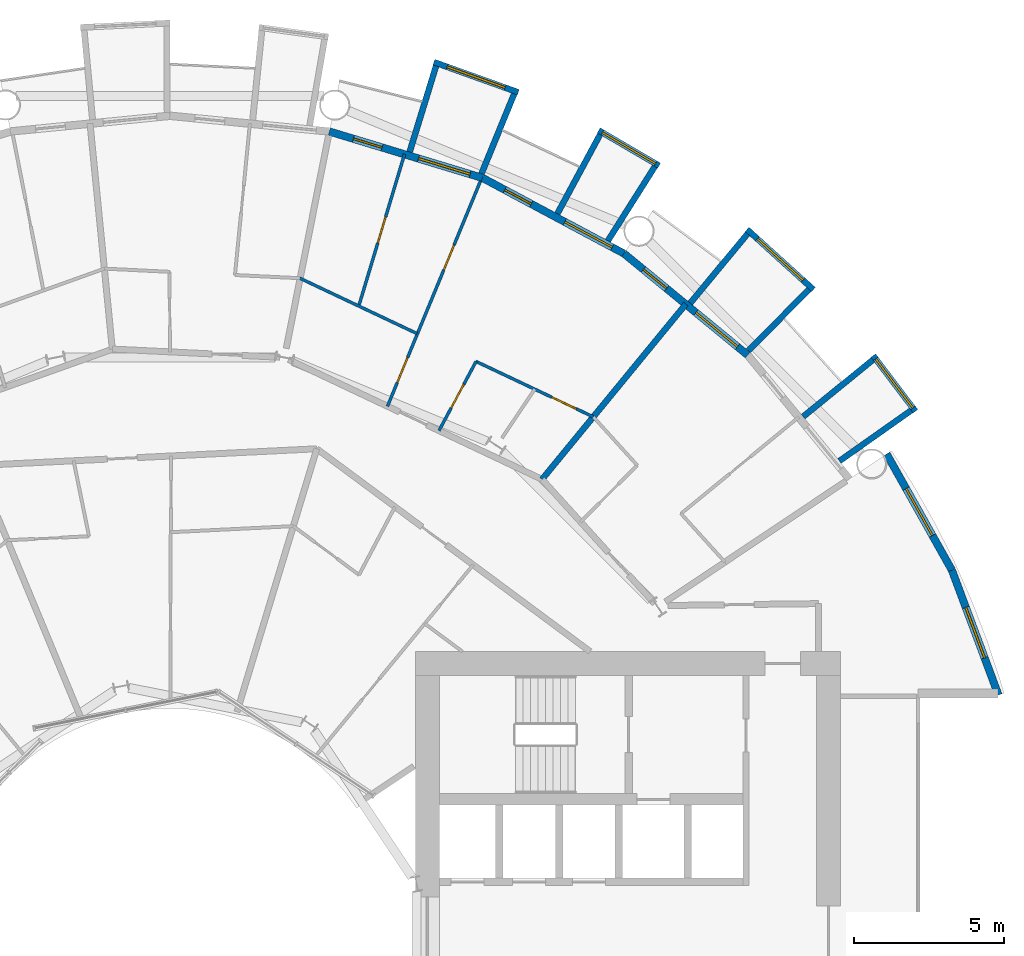
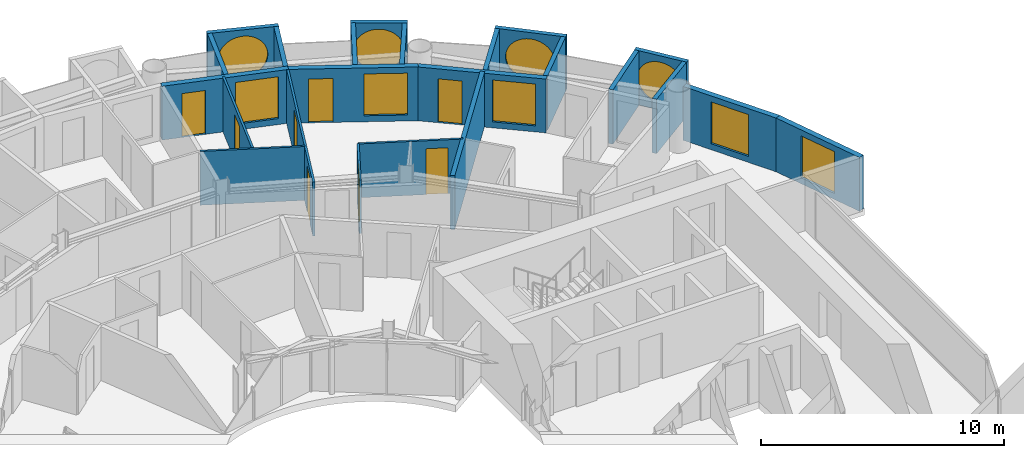
# One storey, part 22 of 25: 23 walls, 9 windows, 8 doors, 17 openings.
"""IFC4 building model written with IfcOpenShell, lengths in metres."""

from ifc_helpers import new_model, si_unit, direction, frame, frame_2d, origin, place, context, subcontext, project, spatial, rectangle, circle, extrude, material, layer, layer_set, type_object, element, fill, save


model = new_model("IFC4")

# Units and contexts
model_context = context("Model", 3, precision=1e-05, world=origin(), true_north=direction((0.0, 1.0)))
body_context = subcontext(model_context, "Body", "Model", "MODEL_VIEW")
ifc_project = project(units=[si_unit("LENGTHUNIT", "METRE"), si_unit("AREAUNIT", "SQUARE_METRE"), si_unit("VOLUMEUNIT", "CUBIC_METRE"), si_unit("PLANEANGLEUNIT", "RADIAN"), si_unit("MASSUNIT", "GRAM", prefix="KILO")], contexts=[model_context])

# Site, building, storey
site_placement = place(None, origin())
site = spatial("IfcSite", under=ifc_project, at=site_placement, CompositionType="ELEMENT")
building_placement = place(site_placement, origin())
building = spatial("IfcBuilding", under=site, at=building_placement, Name="Maasbend Ring Residences", CompositionType="ELEMENT")
storey_placement = place(building_placement, frame((0.0, 0.0, 41.10009765625)))
storey = spatial("IfcBuildingStorey", under=building, at=storey_placement, Name="L11", CompositionType="ELEMENT", Elevation=41.10009765625)

# Wall, opening, window
ifc_material_1 = material(Name="Pale anodised aluminium panel", Category="aluminium")
ifc_layer_1 = layer(ifc_material_1, 0.199951171875)
ifc_layer_set_1 = layer_set([ifc_layer_1], Name="EW-BOX")
wall_type_1 = type_object("IfcWallType", Name="EW-BOX", PredefinedType="SOLIDWALL", material=ifc_layer_set_1)
wall_1_placement = place(storey_placement, frame((24.908935546875, 17.427001953125, -0.030029296875), z_axis=(0.0, 0.0, 1.0), x_axis=(-0.60418752353, 0.796842165306, 0.0)))
wall_1 = element("IfcWall", 1, at=wall_1_placement, inside=storey, type_object=wall_type_1, Name="Box front N01", PredefinedType="SOLIDWALL", context=body_context, shape_type="SweptSolid", body=[
    extrude(rectangle(XDim=2.3369140625, YDim=0.199951171875, at=frame_2d((1.16845703125, 0.0))), origin(), (0.0, 0.0, 1.0), 2.72998046875),
])
opening_1_placement = place(wall_1_placement, frame((0.128173828125, 0.0, 0.330078125)))
opening_1 = element("IfcOpeningElement", 2, at=opening_1_placement, cuts=wall_1, Name="Opening W-RD", PredefinedType="OPENING", context=body_context, shape_type="SweptSolid", body=[
    extrude(circle(Radius=1.0400390625, at=frame_2d((1.0400390625, 1.0400390625))), frame((0.0, 0.10986328125, 0.0), z_axis=(0.0, -1.0, 0.0), x_axis=(1.0, 0.0, 0.0)), (0.0, 0.0, 1.0), 0.219970703125),
])
ifc_material_2 = material(Name="Aluminium and clear glass", Category="aluminium")
window_type_1 = type_object("IfcWindowType", Name="W-RD", PartitioningType="SINGLE_PANEL", PredefinedType="WINDOW", material=ifc_material_2)
window_1_placement = place(opening_1_placement, origin())
window_1 = element("IfcWindow", 3, at=window_1_placement, inside=storey, type_object=window_type_1, Name="Round window N01", OverallHeight=2.080078125, OverallWidth=2.080078125, PartitioningType="SINGLE_PANEL", PredefinedType="WINDOW", context=body_context, shape_type="SweptSolid", body=[
    extrude(circle(Radius=1.0400390625, at=frame_2d((1.0400390625, 1.0400390625))), frame((0.0, 0.030029296875, 0.0), z_axis=(0.0, -1.0, 0.0), x_axis=(1.0, 0.0, 0.0)), (0.0, 0.0, 1.0), 0.06005859375),
])
fill(opening_1, window_1)

# Walls
wall_2_placement = place(storey_placement, frame((22.3701171875, 15.764892578125, -0.030029296875), z_axis=(0.0, 0.0, 1.0), x_axis=(0.817256123454, 0.576274612209, 0.0)))
element("IfcWall", 4, at=wall_2_placement, inside=storey, type_object=wall_type_1, Name="Box side wall N01 left", PredefinedType="SOLIDWALL", context=body_context, shape_type="SweptSolid", body=[
    extrude(rectangle(XDim=2.932861328125, YDim=0.199951171875, at=frame_2d((1.46630859375, 0.0))), origin(), (0.0, 0.0, 1.0), 2.72998046875),
])
wall_3_placement = place(storey_placement, frame((21.155029296875, 17.24609375, -0.030029296875), z_axis=(0.0, 0.0, 1.0), x_axis=(0.775179004516, 0.631741648902, 0.0)))
element("IfcWall", 5, at=wall_3_placement, inside=storey, type_object=wall_type_1, Name="Box side wall N01 right", PredefinedType="SOLIDWALL", context=body_context, shape_type="SweptSolid", body=[
    extrude(rectangle(XDim=3.005859375, YDim=0.199951171875, at=frame_2d((1.5029296875, 0.0))), origin(), (0.0, 0.0, 1.0), 2.72998046875),
])

# Wall, opening, window
wall_4_placement = place(storey_placement, frame((21.5, 21.492919921875, -0.030029296875), z_axis=(0.0, 0.0, 1.0), x_axis=(-0.740998365753, 0.671506829416, 0.0)))
wall_4 = element("IfcWall", 6, at=wall_4_placement, inside=storey, type_object=wall_type_1, Name="Box front N03", PredefinedType="SOLIDWALL", context=body_context, shape_type="SweptSolid", body=[
    extrude(rectangle(XDim=2.9931640625, YDim=0.199951171875, at=frame_2d((1.49658203125, 0.0))), origin(), (0.0, 0.0, 1.0), 2.72998046875),
])
opening_2_placement = place(wall_4_placement, frame((0.45654296875, 0.0, 0.330078125)))
opening_2 = element("IfcOpeningElement", 7, at=opening_2_placement, cuts=wall_4, Name="Opening W-RD", PredefinedType="OPENING", context=body_context, shape_type="SweptSolid", body=[
    extrude(circle(Radius=1.0400390625, at=frame_2d((1.0400390625, 1.0400390625))), frame((0.0, 0.10986328125, 0.0), z_axis=(0.0, -1.0, 0.0), x_axis=(1.0, 0.0, 0.0)), (0.0, 0.0, 1.0), 0.219970703125),
])
window_2_placement = place(opening_2_placement, origin())
window_2 = element("IfcWindow", 8, at=window_2_placement, inside=storey, type_object=window_type_1, Name="Round window N03", OverallHeight=2.080078125, OverallWidth=2.080078125, PartitioningType="SINGLE_PANEL", PredefinedType="WINDOW", context=body_context, shape_type="SweptSolid", body=[
    extrude(circle(Radius=1.0400390625, at=frame_2d((1.0400390625, 1.0400390625))), frame((0.0, 0.030029296875, 0.0), z_axis=(0.0, -1.0, 0.0), x_axis=(1.0, 0.0, 0.0)), (0.0, 0.0, 1.0), 0.06005859375),
])
fill(opening_2, window_2)

# Walls
wall_5_placement = place(storey_placement, frame((19.322998046875, 19.449951171875, -0.030029296875), z_axis=(0.0, 0.0, 1.0), x_axis=(0.704476739375, 0.709727076896, 0.0)))
element("IfcWall", 9, at=wall_5_placement, inside=storey, type_object=wall_type_1, Name="Box side wall N03 left", PredefinedType="SOLIDWALL", context=body_context, shape_type="SweptSolid", body=[
    extrude(rectangle(XDim=2.883056640625, YDim=0.199951171875, at=frame_2d((1.44140625, 0.0))), origin(), (0.0, 0.0, 1.0), 2.72998046875),
])
wall_6_placement = place(storey_placement, frame((17.384033203125, 21.041015625, -0.030029296875), z_axis=(0.0, 0.0, 1.0), x_axis=(0.63709551667, 0.770784861449, 0.0)))
element("IfcWall", 10, at=wall_6_placement, inside=storey, type_object=wall_type_1, Name="Box side wall N03 right", PredefinedType="SOLIDWALL", context=body_context, shape_type="SweptSolid", body=[
    extrude(rectangle(XDim=3.005859375, YDim=0.199951171875, at=frame_2d((1.5029296875, 0.0))), origin(), (0.0, 0.0, 1.0), 2.72998046875),
])

# Wall, opening, window
wall_7_placement = place(storey_placement, frame((16.343994140625, 25.633056640625, -0.030029296875), z_axis=(0.0, 0.0, 1.0), x_axis=(-0.863346521872, 0.504611517081, 0.0)))
wall_7 = element("IfcWall", 11, at=wall_7_placement, inside=storey, type_object=wall_type_1, Name="Box front N05", PredefinedType="SOLIDWALL", context=body_context, shape_type="SweptSolid", body=[
    extrude(rectangle(XDim=2.33642578125, YDim=0.199951171875, at=frame_2d((1.168212890625, 0.0))), origin(), (0.0, 0.0, 1.0), 2.72998046875),
])
opening_3_placement = place(wall_7_placement, frame((0.128173828125, 0.0, 0.330078125)))
opening_3 = element("IfcOpeningElement", 12, at=opening_3_placement, cuts=wall_7, Name="Opening W-RD", PredefinedType="OPENING", context=body_context, shape_type="SweptSolid", body=[
    extrude(circle(Radius=1.0400390625, at=frame_2d((1.0400390625, 1.0400390625))), frame((0.0, 0.10986328125, 0.0), z_axis=(0.0, -1.0, 0.0), x_axis=(1.0, 0.0, 0.0)), (0.0, 0.0, 1.0), 0.219970703125),
])
window_3_placement = place(opening_3_placement, origin())
window_3 = element("IfcWindow", 13, at=window_3_placement, inside=storey, type_object=window_type_1, Name="Round window N05", OverallHeight=2.080078125, OverallWidth=2.080078125, PartitioningType="SINGLE_PANEL", PredefinedType="WINDOW", context=body_context, shape_type="SweptSolid", body=[
    extrude(circle(Radius=1.0400390625, at=frame_2d((1.0400390625, 1.0400390625))), frame((0.0, 0.030029296875, 0.0), z_axis=(0.0, -1.0, 0.0), x_axis=(1.0, 0.0, 0.0)), (0.0, 0.0, 1.0), 0.06005859375),
])
fill(opening_3, window_3)

# Walls
wall_8_placement = place(storey_placement, frame((14.635009765625, 23.1259765625, -0.030029296875), z_axis=(0.0, 0.0, 1.0), x_axis=(0.534437802731, 0.845207805816, 0.0)))
element("IfcWall", 14, at=wall_8_placement, inside=storey, type_object=wall_type_1, Name="Box side wall N05 left", PredefinedType="SOLIDWALL", context=body_context, shape_type="SweptSolid", body=[
    extrude(rectangle(XDim=2.931884765625, YDim=0.199951171875, at=frame_2d((1.4658203125, 0.0))), origin(), (0.0, 0.0, 1.0), 2.72998046875),
])
wall_9_placement = place(storey_placement, frame((12.945068359375, 24.029052734375, -0.030029296875), z_axis=(0.0, 0.0, 1.0), x_axis=(0.474424310775, 0.88029629861, 0.0)))
element("IfcWall", 15, at=wall_9_placement, inside=storey, type_object=wall_type_1, Name="Box side wall N05 right", PredefinedType="SOLIDWALL", context=body_context, shape_type="SweptSolid", body=[
    extrude(rectangle(XDim=3.005859375, YDim=0.199951171875, at=frame_2d((1.5029296875, 0.0))), origin(), (0.0, 0.0, 1.0), 2.72998046875),
])

# Wall, opening, window
wall_10_placement = place(storey_placement, frame((11.637939453125, 28.083984375, -0.030029296875), z_axis=(0.0, 0.0, 1.0), x_axis=(-0.941461077774, 0.337121697664, 0.0)))
wall_10 = element("IfcWall", 16, at=wall_10_placement, inside=storey, type_object=wall_type_1, Name="Box front N07", PredefinedType="SOLIDWALL", context=body_context, shape_type="SweptSolid", body=[
    extrude(rectangle(XDim=2.9931640625, YDim=0.199951171875, at=frame_2d((1.49658203125, 0.0))), origin(), (0.0, 0.0, 1.0), 2.72998046875),
])
opening_4_placement = place(wall_10_placement, frame((0.45654296875, 0.0, 0.330078125)))
opening_4 = element("IfcOpeningElement", 17, at=opening_4_placement, cuts=wall_10, Name="Opening W-RD", PredefinedType="OPENING", context=body_context, shape_type="SweptSolid", body=[
    extrude(circle(Radius=1.0400390625, at=frame_2d((1.0400390625, 1.0400390625))), frame((0.0, 0.10986328125, 0.0), z_axis=(0.0, -1.0, 0.0), x_axis=(1.0, 0.0, 0.0)), (0.0, 0.0, 1.0), 0.219970703125),
])
window_4_placement = place(opening_4_placement, origin())
window_4 = element("IfcWindow", 18, at=window_4_placement, inside=storey, type_object=window_type_1, Name="Round window N07", OverallHeight=2.080078125, OverallWidth=2.080078125, PartitioningType="SINGLE_PANEL", PredefinedType="WINDOW", context=body_context, shape_type="SweptSolid", body=[
    extrude(circle(Radius=1.0400390625, at=frame_2d((1.0400390625, 1.0400390625))), frame((0.0, 0.030029296875, 0.0), z_axis=(0.0, -1.0, 0.0), x_axis=(1.0, 0.0, 0.0)), (0.0, 0.0, 1.0), 0.06005859375),
])
fill(opening_4, window_4)

# Walls
wall_11_placement = place(storey_placement, frame((10.408935546875, 25.364013671875, -0.030029296875), z_axis=(0.0, 0.0, 1.0), x_axis=(0.379509886562, 0.925187681501, 0.0)))
element("IfcWall", 19, at=wall_11_placement, inside=storey, type_object=wall_type_1, Name="Box side wall N07 left", PredefinedType="SOLIDWALL", context=body_context, shape_type="SweptSolid", body=[
    extrude(rectangle(XDim=2.882568359375, YDim=0.199951171875, at=frame_2d((1.44140625, 0.0))), origin(), (0.0, 0.0, 1.0), 2.72998046875),
])
wall_12_placement = place(storey_placement, frame((8.009033203125, 26.092041015625, -0.030029296875), z_axis=(0.0, 0.0, 1.0), x_axis=(0.293406695073, 0.955987715029, 0.0)))
element("IfcWall", 20, at=wall_12_placement, inside=storey, type_object=wall_type_1, Name="Box side wall N07 right", PredefinedType="SOLIDWALL", context=body_context, shape_type="SweptSolid", body=[
    extrude(rectangle(XDim=3.00634765625, YDim=0.199951171875, at=frame_2d((1.503173828125, 0.0))), origin(), (0.0, 0.0, 1.0), 2.72998046875),
])

# Wall, openings, door, window
ifc_material_3 = material(Name="Aluminium clad insulated panel", Category="aluminium")
ifc_layer_2 = layer(ifc_material_3, 0.25)
ifc_layer_set_2 = layer_set([ifc_layer_2], Name="EW-GL")
wall_type_2 = type_object("IfcWallType", Name="EW-GL", PredefinedType="SOLIDWALL", material=ifc_layer_set_2)
wall_13_placement = place(storey_placement, frame((19.303955078125, 19.303955078125, 0.0), z_axis=(0.0, 0.0, 1.0), x_axis=(-0.773019449054, 0.634382322723, 0.0)))
wall_13 = element("IfcWall", 21, at=wall_13_placement, inside=storey, type_object=wall_type_2, Name="External wall N02", PredefinedType="SOLIDWALL", context=body_context, shape_type="SweptSolid", body=[
    extrude(rectangle(XDim=5.351806640625, YDim=0.25, at=frame_2d((2.67578125, 0.0))), origin(), (0.0, 0.0, 1.0), 2.699951171875),
])
opening_5_placement = place(wall_13_placement, frame((0.441162109375, 0.0, 0.300048828125)))
opening_5 = element("IfcOpeningElement", 22, at=opening_5_placement, cuts=wall_13, Name="Opening W-BX", PredefinedType="OPENING", context=body_context, shape_type="SweptSolid", body=[
    extrude(rectangle(XDim=1.800048828125, YDim=2.10009765625, at=frame_2d((0.89990234375, 1.050048828125))), frame((0.0, 0.135009765625, 0.0), z_axis=(0.0, -1.0, 0.0), x_axis=(1.0, 0.0, 0.0)), (0.0, 0.0, 1.0), 0.27001953125),
])
opening_6_placement = place(wall_13_placement, frame((3.510498046875, 0.0, 0.0)))
opening_6 = element("IfcOpeningElement", 23, at=opening_6_placement, cuts=wall_13, Name="Opening D-LG", PredefinedType="OPENING", context=body_context, shape_type="SweptSolid", body=[
    extrude(rectangle(XDim=1.0, YDim=2.199951171875, at=frame_2d((0.5, 1.10009765625))), frame((0.0, 0.135009765625, 0.0), z_axis=(0.0, -1.0, 0.0), x_axis=(1.0, 0.0, 0.0)), (0.0, 0.0, 1.0), 0.27001953125),
])
ifc_material_4 = material(Name="Aluminium and clear glass", Category="aluminium")
door_type_1 = type_object("IfcDoorType", Name="D-LG", OperationType="SINGLE_SWING_LEFT", PredefinedType="DOOR", material=ifc_material_4)
door_1_placement = place(opening_6_placement, origin())
door_1 = element("IfcDoor", 24, at=door_1_placement, inside=storey, type_object=door_type_1, Name="Loggia door N04", OperationType="SINGLE_SWING_LEFT", OverallHeight=2.199951171875, OverallWidth=1.0, PredefinedType="DOOR", context=body_context, shape_type="SweptSolid", body=[
    extrude(rectangle(XDim=1.0, YDim=2.199951171875, at=frame_2d((0.5, 1.10009765625))), frame((0.0, 0.02490234375, 0.0), z_axis=(0.0, -1.0, 0.0), x_axis=(1.0, 0.0, 0.0)), (0.0, 0.0, 1.0), 0.050048828125),
])
fill(opening_6, door_1)
ifc_material_5 = material(Name="Aluminium and clear glass", Category="aluminium")
window_type_2 = type_object("IfcWindowType", Name="W-BX", PartitioningType="DOUBLE_PANEL_VERTICAL", PredefinedType="WINDOW", material=ifc_material_5)
window_5_placement = place(opening_5_placement, origin())
window_5 = element("IfcWindow", 25, at=window_5_placement, inside=storey, type_object=window_type_2, Name="Window N03 room to box", OverallHeight=2.10009765625, OverallWidth=1.800048828125, PartitioningType="SINGLE_PANEL", PredefinedType="WINDOW", context=body_context, shape_type="SweptSolid", body=[
    extrude(rectangle(XDim=1.800048828125, YDim=2.10009765625, at=frame_2d((0.89990234375, 1.050048828125))), frame((0.0, 0.030029296875, 0.0), z_axis=(0.0, -1.0, 0.0), x_axis=(1.0, 0.0, 0.0)), (0.0, 0.0, 1.0), 0.06005859375),
])
fill(opening_5, window_5)

wall_14_placement = place(storey_placement, frame((15.1669921875, 22.698974609375, 0.0), z_axis=(0.0, 0.0, 1.0), x_axis=(-0.881915646801, 0.471407246368, 0.0)))
wall_14 = element("IfcWall", 26, at=wall_14_placement, inside=storey, type_object=wall_type_2, Name="External wall N03", PredefinedType="SOLIDWALL", context=body_context, shape_type="SweptSolid", body=[
    extrude(rectangle(XDim=5.35205078125, YDim=0.25, at=frame_2d((2.676025390625, 0.0))), origin(), (0.0, 0.0, 1.0), 2.699951171875),
])
opening_7_placement = place(wall_14_placement, frame((0.441162109375, 0.0, 0.300048828125)))
opening_7 = element("IfcOpeningElement", 27, at=opening_7_placement, cuts=wall_14, Name="Opening W-BX", PredefinedType="OPENING", context=body_context, shape_type="SweptSolid", body=[
    extrude(rectangle(XDim=1.800048828125, YDim=2.10009765625, at=frame_2d((0.89990234375, 1.050048828125))), frame((0.0, 0.135009765625, 0.0), z_axis=(0.0, -1.0, 0.0), x_axis=(1.0, 0.0, 0.0)), (0.0, 0.0, 1.0), 0.27001953125),
])
opening_8_placement = place(wall_14_placement, frame((3.510498046875, 0.0, 0.0)))
opening_8 = element("IfcOpeningElement", 28, at=opening_8_placement, cuts=wall_14, Name="Opening D-LG", PredefinedType="OPENING", context=body_context, shape_type="SweptSolid", body=[
    extrude(rectangle(XDim=1.0, YDim=2.199951171875, at=frame_2d((0.5, 1.10009765625))), frame((0.0, 0.135009765625, 0.0), z_axis=(0.0, -1.0, 0.0), x_axis=(1.0, 0.0, 0.0)), (0.0, 0.0, 1.0), 0.27001953125),
])
door_2_placement = place(opening_8_placement, origin())
door_2 = element("IfcDoor", 29, at=door_2_placement, inside=storey, type_object=door_type_1, Name="Loggia door N06", OperationType="SINGLE_SWING_LEFT", OverallHeight=2.199951171875, OverallWidth=1.0, PredefinedType="DOOR", context=body_context, shape_type="SweptSolid", body=[
    extrude(rectangle(XDim=1.0, YDim=2.199951171875, at=frame_2d((0.5, 1.10009765625))), frame((0.0, 0.02490234375, 0.0), z_axis=(0.0, -1.0, 0.0), x_axis=(1.0, 0.0, 0.0)), (0.0, 0.0, 1.0), 0.050048828125),
])
fill(opening_8, door_2)
window_6_placement = place(opening_7_placement, origin())
window_6 = element("IfcWindow", 30, at=window_6_placement, inside=storey, type_object=window_type_2, Name="Window N05 room to box", OverallHeight=2.10009765625, OverallWidth=1.800048828125, PartitioningType="SINGLE_PANEL", PredefinedType="WINDOW", context=body_context, shape_type="SweptSolid", body=[
    extrude(rectangle(XDim=1.800048828125, YDim=2.10009765625, at=frame_2d((0.89990234375, 1.050048828125))), frame((0.0, 0.030029296875, 0.0), z_axis=(0.0, -1.0, 0.0), x_axis=(1.0, 0.0, 0.0)), (0.0, 0.0, 1.0), 0.06005859375),
])
fill(opening_7, window_6)

wall_15_placement = place(storey_placement, frame((10.447021484375, 25.221923828125, 0.0), z_axis=(0.0, 0.0, 1.0), x_axis=(-0.956965678721, 0.290201119486, 0.0)))
wall_15 = element("IfcWall", 31, at=wall_15_placement, inside=storey, type_object=wall_type_2, Name="External wall N04", PredefinedType="SOLIDWALL", context=body_context, shape_type="SweptSolid", body=[
    extrude(rectangle(XDim=5.351318359375, YDim=0.25, at=frame_2d((2.67578125, 0.0))), origin(), (0.0, 0.0, 1.0), 2.699951171875),
])
opening_9_placement = place(wall_15_placement, frame((0.441162109375, 0.0, 0.300048828125)))
opening_9 = element("IfcOpeningElement", 32, at=opening_9_placement, cuts=wall_15, Name="Opening W-BX", PredefinedType="OPENING", context=body_context, shape_type="SweptSolid", body=[
    extrude(rectangle(XDim=1.800048828125, YDim=2.10009765625, at=frame_2d((0.89990234375, 1.050048828125))), frame((0.0, 0.135009765625, 0.0), z_axis=(0.0, -1.0, 0.0), x_axis=(1.0, 0.0, 0.0)), (0.0, 0.0, 1.0), 0.27001953125),
])
opening_10_placement = place(wall_15_placement, frame((3.510498046875, 0.0, 0.0)))
opening_10 = element("IfcOpeningElement", 33, at=opening_10_placement, cuts=wall_15, Name="Opening D-LG", PredefinedType="OPENING", context=body_context, shape_type="SweptSolid", body=[
    extrude(rectangle(XDim=1.0, YDim=2.199951171875, at=frame_2d((0.5, 1.10009765625))), frame((0.0, 0.135009765625, 0.0), z_axis=(0.0, -1.0, 0.0), x_axis=(1.0, 0.0, 0.0)), (0.0, 0.0, 1.0), 0.27001953125),
])
door_3_placement = place(opening_10_placement, origin())
door_3 = element("IfcDoor", 34, at=door_3_placement, inside=storey, type_object=door_type_1, Name="Loggia door N08", OperationType="SINGLE_SWING_LEFT", OverallHeight=2.199951171875, OverallWidth=1.0, PredefinedType="DOOR", context=body_context, shape_type="SweptSolid", body=[
    extrude(rectangle(XDim=1.0, YDim=2.199951171875, at=frame_2d((0.5, 1.10009765625))), frame((0.0, 0.02490234375, 0.0), z_axis=(0.0, -1.0, 0.0), x_axis=(1.0, 0.0, 0.0)), (0.0, 0.0, 1.0), 0.050048828125),
])
fill(opening_10, door_3)
window_7_placement = place(opening_9_placement, origin())
window_7 = element("IfcWindow", 35, at=window_7_placement, inside=storey, type_object=window_type_2, Name="Window N07 room to box", OverallHeight=2.10009765625, OverallWidth=1.800048828125, PartitioningType="SINGLE_PANEL", PredefinedType="WINDOW", context=body_context, shape_type="SweptSolid", body=[
    extrude(rectangle(XDim=1.800048828125, YDim=2.10009765625, at=frame_2d((0.89990234375, 1.050048828125))), frame((0.0, 0.030029296875, 0.0), z_axis=(0.0, -1.0, 0.0), x_axis=(1.0, 0.0, 0.0)), (0.0, 0.0, 1.0), 0.06005859375),
])
fill(opening_9, window_7)

# Wall, opening, window
ifc_material_6 = material(Name="Aluminium clad insulated panel", Category="aluminium")
ifc_layer_3 = layer(ifc_material_6, 0.25)
ifc_layer_set_3 = layer_set([ifc_layer_3], Name="EW-HORN")
wall_type_3 = type_object("IfcWallType", Name="EW-HORN", PredefinedType="SOLIDWALL", material=ifc_layer_set_3)
wall_16_placement = place(storey_placement, frame((27.681884765625, 7.945068359375, 0.0), z_axis=(0.0, 0.0, 1.0), x_axis=(-0.349247811493, 0.937030397675, 0.0)))
wall_16 = element("IfcWall", 36, at=wall_16_placement, inside=storey, type_object=wall_type_3, Name="Horn wall 1.1", PredefinedType="SOLIDWALL", context=body_context, shape_type="SweptSolid", body=[
    extrude(rectangle(XDim=4.4521484375, YDim=0.25, at=frame_2d((2.22607421875, 0.0))), origin(), (0.0, 0.0, 1.0), 2.699951171875),
])
opening_11_placement = place(wall_16_placement, frame((1.32666015625, 0.0, 0.300048828125)))
opening_11 = element("IfcOpeningElement", 37, at=opening_11_placement, cuts=wall_16, Name="Opening W-BX", PredefinedType="OPENING", context=body_context, shape_type="SweptSolid", body=[
    extrude(rectangle(XDim=1.800048828125, YDim=2.10009765625, at=frame_2d((0.89990234375, 1.050048828125))), frame((0.0, 0.135009765625, 0.0), z_axis=(0.0, -1.0, 0.0), x_axis=(1.0, 0.0, 0.0)), (0.0, 0.0, 1.0), 0.27001953125),
])
window_8_placement = place(opening_11_placement, origin())
window_8 = element("IfcWindow", 38, at=window_8_placement, inside=storey, type_object=window_type_2, Name="Horn window 1.1", OverallHeight=2.10009765625, OverallWidth=1.800048828125, PartitioningType="SINGLE_PANEL", PredefinedType="WINDOW", context=body_context, shape_type="SweptSolid", body=[
    extrude(rectangle(XDim=1.800048828125, YDim=2.10009765625, at=frame_2d((0.89990234375, 1.050048828125))), frame((0.0, 0.030029296875, 0.0), z_axis=(0.0, -1.0, 0.0), x_axis=(1.0, 0.0, 0.0)), (0.0, 0.0, 1.0), 0.06005859375),
])
fill(opening_11, window_8)

wall_17_placement = place(storey_placement, frame((26.126953125, 12.116943359375, 0.0), z_axis=(0.0, 0.0, 1.0), x_axis=(-0.489696356642, 0.871893042919, 0.0)))
wall_17 = element("IfcWall", 39, at=wall_17_placement, inside=storey, type_object=wall_type_3, Name="Horn wall 1.2", PredefinedType="SOLIDWALL", context=body_context, shape_type="SweptSolid", body=[
    extrude(rectangle(XDim=4.45361328125, YDim=0.25, at=frame_2d((2.226806640625, 0.0))), origin(), (0.0, 0.0, 1.0), 2.699951171875),
])
opening_12_placement = place(wall_17_placement, frame((1.32666015625, 0.0, 0.300048828125)))
opening_12 = element("IfcOpeningElement", 40, at=opening_12_placement, cuts=wall_17, Name="Opening W-BX", PredefinedType="OPENING", context=body_context, shape_type="SweptSolid", body=[
    extrude(rectangle(XDim=1.800048828125, YDim=2.10009765625, at=frame_2d((0.89990234375, 1.050048828125))), frame((0.0, 0.135009765625, 0.0), z_axis=(0.0, -1.0, 0.0), x_axis=(1.0, 0.0, 0.0)), (0.0, 0.0, 1.0), 0.27001953125),
])
window_9_placement = place(opening_12_placement, origin())
window_9 = element("IfcWindow", 41, at=window_9_placement, inside=storey, type_object=window_type_2, Name="Horn window 1.2", OverallHeight=2.10009765625, OverallWidth=1.800048828125, PartitioningType="SINGLE_PANEL", PredefinedType="WINDOW", context=body_context, shape_type="SweptSolid", body=[
    extrude(rectangle(XDim=1.800048828125, YDim=2.10009765625, at=frame_2d((0.89990234375, 1.050048828125))), frame((0.0, 0.030029296875, 0.0), z_axis=(0.0, -1.0, 0.0), x_axis=(1.0, 0.0, 0.0)), (0.0, 0.0, 1.0), 0.06005859375),
])
fill(opening_12, window_9)

# Wall, opening, door
ifc_material_7 = material(Name="Gypsum board on steel studs", Category="steel")
ifc_layer_4 = layer(ifc_material_7, 0.10009765625)
ifc_layer_set_4 = layer_set([ifc_layer_4], Name="PARTITION 100 GYPSUM")
wall_type_4 = type_object("IfcWallType", Name="PARTITION 100 GYPSUM", PredefinedType="PARTITIONING", material=ifc_layer_set_4)
wall_18_placement = place(storey_placement, frame((6.31005859375, 20.945068359375, 0.0), z_axis=(0.0, 0.0, 1.0), x_axis=(0.288484435279, 0.957484585047, 0.0)))
wall_18 = element("IfcWall", 42, at=wall_18_placement, inside=storey, type_object=wall_type_4, Name="U-L11-w074", PredefinedType="PARTITIONING", context=body_context, shape_type="SweptSolid", body=[
    extrude(rectangle(XDim=5.30029296875, YDim=0.10009765625, at=frame_2d((2.650146484375, 0.0))), origin(), (0.0, 0.0, 1.0), 2.699951171875),
])
opening_13_placement = place(wall_18_placement, frame((2.199951171875, 0.0, 0.0)))
opening_13 = element("IfcOpeningElement", 43, at=opening_13_placement, cuts=wall_18, Name="Opening D-1109", PredefinedType="OPENING", context=body_context, shape_type="SweptSolid", body=[
    extrude(rectangle(XDim=0.89990234375, YDim=2.300048828125, at=frame_2d((0.449951171875, 1.14990234375))), frame((0.0, 0.06005859375, 0.0), z_axis=(0.0, -1.0, 0.0), x_axis=(1.0, 0.0, 0.0)), (0.0, 0.0, 1.0), 0.1201171875),
])
ifc_material_8 = material(Name="Timber, painted", Category="wood")
door_type_2 = type_object("IfcDoorType", Name="INTERNAL DOOR 900 X 2300", OperationType="NOTDEFINED", PredefinedType="DOOR", material=ifc_material_8)
door_4_placement = place(opening_13_placement, origin())
door_4 = element("IfcDoor", 44, at=door_4_placement, inside=storey, type_object=door_type_2, Name="D-1109", OperationType="SINGLE_SWING_RIGHT", OverallHeight=2.300048828125, OverallWidth=0.89990234375, PredefinedType="DOOR", context=body_context, shape_type="SweptSolid", body=[
    extrude(rectangle(XDim=0.89990234375, YDim=2.300048828125, at=frame_2d((0.449951171875, 1.14990234375))), frame((0.0, 0.02490234375, 0.0), z_axis=(0.0, -1.0, 0.0), x_axis=(1.0, 0.0, 0.0)), (0.0, 0.0, 1.0), 0.050048828125),
])
fill(opening_13, door_4)

# Wall, openings, doors
wall_19_placement = place(storey_placement, frame((7.26806640625, 17.593994140625, 0.0), z_axis=(0.0, 0.0, 1.0), x_axis=(0.381660983618, 0.924302382115, 0.0)))
wall_19 = element("IfcWall", 45, at=wall_19_placement, inside=storey, type_object=wall_type_4, Name="U-L11-w078", PredefinedType="PARTITIONING", context=body_context, shape_type="SweptSolid", body=[
    extrude(rectangle(XDim=8.137939453125, YDim=0.10009765625, at=frame_2d((4.06884765625, 0.0))), origin(), (0.0, 0.0, 1.0), 2.699951171875),
])
opening_14_placement = place(wall_19_placement, frame((0.860107421875, 0.0, 0.0)))
opening_14 = element("IfcOpeningElement", 46, at=opening_14_placement, cuts=wall_19, Name="Opening D-1107", PredefinedType="OPENING", context=body_context, shape_type="SweptSolid", body=[
    extrude(rectangle(XDim=0.89990234375, YDim=2.300048828125, at=frame_2d((0.449951171875, 1.14990234375))), frame((0.0, 0.06005859375, 0.0), z_axis=(0.0, -1.0, 0.0), x_axis=(1.0, 0.0, 0.0)), (0.0, 0.0, 1.0), 0.1201171875),
])
opening_15_placement = place(wall_19_placement, frame((4.929931640625, 0.0, 0.0)))
opening_15 = element("IfcOpeningElement", 47, at=opening_15_placement, cuts=wall_19, Name="Opening D-1108", PredefinedType="OPENING", context=body_context, shape_type="SweptSolid", body=[
    extrude(rectangle(XDim=0.89990234375, YDim=2.300048828125, at=frame_2d((0.449951171875, 1.14990234375))), frame((0.0, 0.06005859375, 0.0), z_axis=(0.0, -1.0, 0.0), x_axis=(1.0, 0.0, 0.0)), (0.0, 0.0, 1.0), 0.1201171875),
])
door_5_placement = place(opening_14_placement, origin())
door_5 = element("IfcDoor", 48, at=door_5_placement, inside=storey, type_object=door_type_2, Name="D-1107", OperationType="SINGLE_SWING_LEFT", OverallHeight=2.300048828125, OverallWidth=0.89990234375, PredefinedType="DOOR", context=body_context, shape_type="SweptSolid", body=[
    extrude(rectangle(XDim=0.89990234375, YDim=2.300048828125, at=frame_2d((0.449951171875, 1.14990234375))), frame((0.0, 0.02490234375, 0.0), z_axis=(0.0, -1.0, 0.0), x_axis=(1.0, 0.0, 0.0)), (0.0, 0.0, 1.0), 0.050048828125),
])
fill(opening_14, door_5)
door_6_placement = place(opening_15_placement, origin())
door_6 = element("IfcDoor", 49, at=door_6_placement, inside=storey, type_object=door_type_2, Name="D-1108", OperationType="SINGLE_SWING_RIGHT", OverallHeight=2.300048828125, OverallWidth=0.89990234375, PredefinedType="DOOR", context=body_context, shape_type="SweptSolid", body=[
    extrude(rectangle(XDim=0.89990234375, YDim=2.300048828125, at=frame_2d((0.449951171875, 1.14990234375))), frame((0.0, 0.02490234375, 0.0), z_axis=(0.0, -1.0, 0.0), x_axis=(1.0, 0.0, 0.0)), (0.0, 0.0, 1.0), 0.050048828125),
])
fill(opening_15, door_6)

# Wall, opening, door
wall_20_placement = place(storey_placement, frame((8.989990234375, 16.780029296875, 0.0), z_axis=(0.0, 0.0, 1.0), x_axis=(0.472216244249, 0.881482738723, 0.0)))
wall_20 = element("IfcWall", 50, at=wall_20_placement, inside=storey, type_object=wall_type_4, Name="U-L11-w080", PredefinedType="PARTITIONING", context=body_context, shape_type="SweptSolid", body=[
    extrude(rectangle(XDim=2.621826171875, YDim=0.10009765625, at=frame_2d((1.31103515625, 0.0))), origin(), (0.0, 0.0, 1.0), 2.699951171875),
])
opening_16_placement = place(wall_20_placement, frame((0.861083984375, 0.0, 0.0)))
opening_16 = element("IfcOpeningElement", 51, at=opening_16_placement, cuts=wall_20, Name="Opening D-1106", PredefinedType="OPENING", context=body_context, shape_type="SweptSolid", body=[
    extrude(rectangle(XDim=0.89990234375, YDim=2.300048828125, at=frame_2d((0.449951171875, 1.14990234375))), frame((0.0, 0.06005859375, 0.0), z_axis=(0.0, -1.0, 0.0), x_axis=(1.0, 0.0, 0.0)), (0.0, 0.0, 1.0), 0.1201171875),
])
door_7_placement = place(opening_16_placement, origin())
door_7 = element("IfcDoor", 52, at=door_7_placement, inside=storey, type_object=door_type_2, Name="D-1106", OperationType="SINGLE_SWING_RIGHT", OverallHeight=2.300048828125, OverallWidth=0.89990234375, PredefinedType="DOOR", context=body_context, shape_type="SweptSolid", body=[
    extrude(rectangle(XDim=0.89990234375, YDim=2.300048828125, at=frame_2d((0.449951171875, 1.14990234375))), frame((0.0, 0.02490234375, 0.0), z_axis=(0.0, -1.0, 0.0), x_axis=(1.0, 0.0, 0.0)), (0.0, 0.0, 1.0), 0.050048828125),
])
fill(opening_16, door_7)

# Wall
wall_21_placement = place(storey_placement, frame((4.3369140625, 21.8740234375, 0.0), z_axis=(0.0, 0.0, 1.0), x_axis=(0.904130816667, -0.427255738818, 0.0)))
element("IfcWall", 53, at=wall_21_placement, inside=storey, type_object=wall_type_4, Name="U-L11-w113", PredefinedType="PARTITIONING", context=body_context, shape_type="SweptSolid", body=[
    extrude(rectangle(XDim=4.334716796875, YDim=0.10009765625, at=frame_2d((2.16748046875, 0.0))), origin(), (0.0, 0.0, 1.0), 2.699951171875),
])

# Wall, opening, door
wall_22_placement = place(storey_placement, frame((10.221923828125, 19.093994140625, 0.0), z_axis=(0.0, 0.0, 1.0), x_axis=(0.904171929575, -0.427168727518, 0.0)))
wall_22 = element("IfcWall", 54, at=wall_22_placement, inside=storey, type_object=wall_type_4, Name="U-L11-w114", PredefinedType="PARTITIONING", context=body_context, shape_type="SweptSolid", body=[
    extrude(rectangle(XDim=4.335693359375, YDim=0.10009765625, at=frame_2d((2.16796875, 0.0))), origin(), (0.0, 0.0, 1.0), 2.699951171875),
])
opening_17_placement = place(wall_22_placement, frame((2.80810546875, 0.0, 0.0)))
opening_17 = element("IfcOpeningElement", 55, at=opening_17_placement, cuts=wall_22, Name="Opening D-1105", PredefinedType="OPENING", context=body_context, shape_type="SweptSolid", body=[
    extrude(rectangle(XDim=0.89990234375, YDim=2.300048828125, at=frame_2d((0.449951171875, 1.14990234375))), frame((0.0, 0.06005859375, 0.0), z_axis=(0.0, -1.0, 0.0), x_axis=(1.0, 0.0, 0.0)), (0.0, 0.0, 1.0), 0.1201171875),
])
door_8_placement = place(opening_17_placement, origin())
door_8 = element("IfcDoor", 56, at=door_8_placement, inside=storey, type_object=door_type_2, Name="D-1105", OperationType="SINGLE_SWING_RIGHT", OverallHeight=2.300048828125, OverallWidth=0.89990234375, PredefinedType="DOOR", context=body_context, shape_type="SweptSolid", body=[
    extrude(rectangle(XDim=0.89990234375, YDim=2.300048828125, at=frame_2d((0.449951171875, 1.14990234375))), frame((0.0, 0.02490234375, 0.0), z_axis=(0.0, -1.0, 0.0), x_axis=(1.0, 0.0, 0.0)), (0.0, 0.0, 1.0), 0.050048828125),
])
fill(opening_17, door_8)

# Wall
ifc_material_9 = material(Name="Concrete C30/37", Category="concrete")
ifc_layer_5 = layer(ifc_material_9, 0.199951171875)
ifc_layer_set_5 = layer_set([ifc_layer_5], Name="Concrete C30/37")
wall_type_5 = type_object("IfcWallType", Name="PARTY WALL 200 CONCRETE", PredefinedType="PARTITIONING", material=ifc_layer_set_5)
wall_23_placement = place(storey_placement, frame((12.431884765625, 15.152099609375, 0.0), z_axis=(0.0, 0.0, 1.0), x_axis=(0.634353152115, 0.77304338714, 0.0)))
element("IfcWall", 57, at=wall_23_placement, inside=storey, type_object=wall_type_5, Name="U-L11-w085", PredefinedType="PARTITIONING", context=body_context, shape_type="SweptSolid", body=[
    extrude(rectangle(XDim=7.576416015625, YDim=0.199951171875, at=frame_2d((3.7880859375, 0.0))), origin(), (0.0, 0.0, 1.0), 2.699951171875),
])

save(model, "model.ifc")
